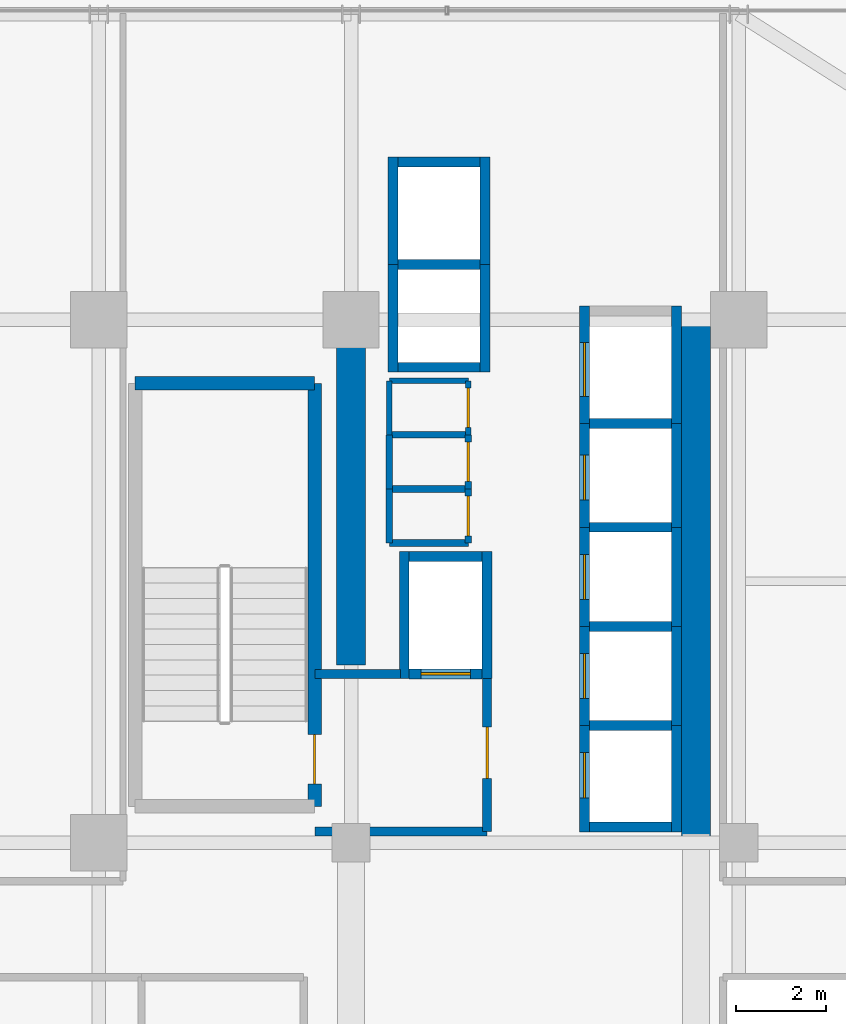
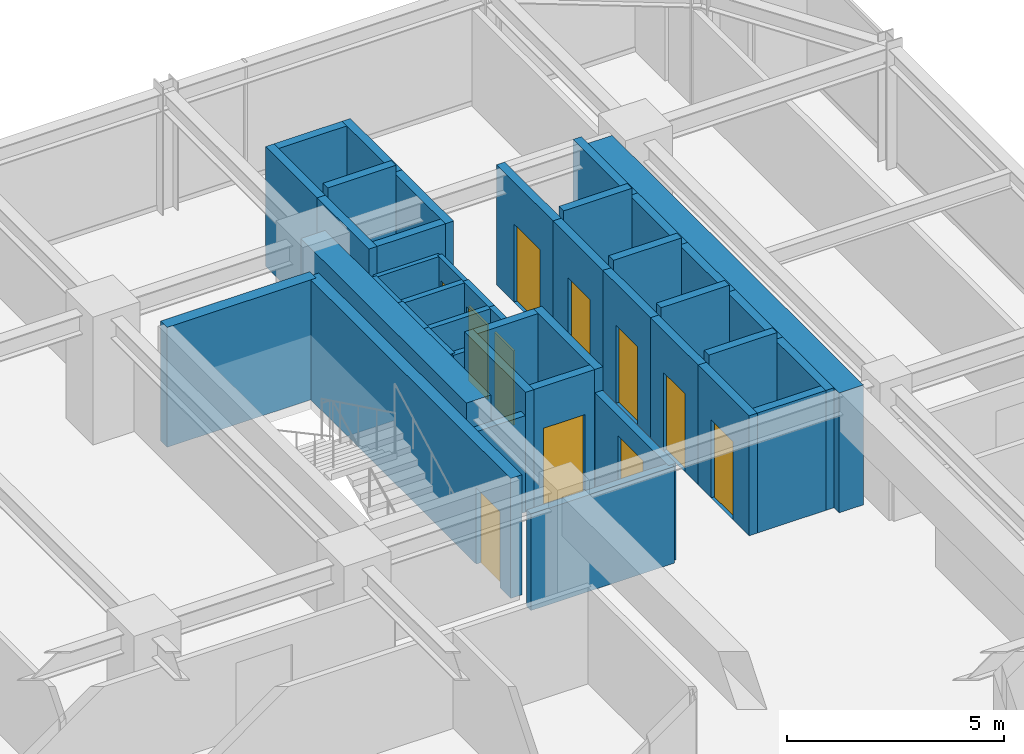
# One storey, part 28 of 32: 43 walls, 11 doors, 11 openings.
"""IFC4 building model written with IfcOpenShell, lengths in metres."""

from ifc_helpers import new_model, si_unit, direction, frame, frame_2d, origin, place, context, subcontext, project, spatial, rectangle, extrude, source, transform, mapped, material, layer, layer_set, type_object, element, fill, save


model = new_model("IFC4")

# Units and contexts
model_context = context("Model", 3, precision=1e-05, world=origin(), true_north=direction((0.0, 1.0)))
body_context = subcontext(model_context, "Body", "Model", "MODEL_VIEW")
ifc_project = project(units=[si_unit("LENGTHUNIT", "METRE"), si_unit("AREAUNIT", "SQUARE_METRE"), si_unit("VOLUMEUNIT", "CUBIC_METRE"), si_unit("PLANEANGLEUNIT", "RADIAN"), si_unit("MASSUNIT", "GRAM", prefix="KILO")], contexts=[model_context])

# Site, building, storey
site_placement = place(None, origin())
site = spatial("IfcSite", under=ifc_project, at=site_placement, CompositionType="ELEMENT")
building_placement = place(site_placement, origin())
building = spatial("IfcBuilding", under=site, at=building_placement, Name="Nahalor Promenade Grand Hotel", CompositionType="ELEMENT")
storey_placement = place(building_placement, frame((0.0, 0.0, 110.199951171875)))
storey = spatial("IfcBuildingStorey", under=building, at=storey_placement, Name="L27", CompositionType="ELEMENT", Elevation=110.199951171875)

# Walls
ifc_material_1 = material(Name="Concrete B-60 (C50/60)", Category="concrete")
ifc_layer_1 = layer(ifc_material_1, 0.64990234375)
ifc_layer_set_1 = layer_set([ifc_layer_1], Name="Concrete B-60 (C50/60)")
wall_type_1 = type_object("IfcWallType", Name="Wall-CoreShear-650", PredefinedType="SHEAR", material=ifc_layer_set_1)
shared_shape_1 = source(origin(), body_context, "Body", "SweptSolid", [
    extrude(rectangle(XDim=7.64990234375, YDim=0.64990234375, at=frame_2d((3.824951171875, 0.0))), origin(), (0.0, 0.0, 1.0), 3.380126953125),
])
wall_1_placement = place(storey_placement, frame((8.39990234375, 9.35009765625, 0.0), z_axis=(0.0, 0.0, 1.0), x_axis=(0.0, 1.0, 0.0)))
element("IfcWall", 1, at=wall_1_placement, inside=storey, type_object=wall_type_1, Name="CWALL-L27-NW", PredefinedType="SHEAR", context=body_context, shape_type="MappedRepresentation", body=[
    mapped(shared_shape_1, transform((0.0, 0.0, 0.0), scale=1.0)),
])
shared_shape_2 = source(origin(), body_context, "Body", "SweptSolid", [
    extrude(rectangle(XDim=11.60009765625, YDim=0.64990234375, at=frame_2d((5.800048828125, 0.0))), origin(), (0.0, 0.0, 1.0), 3.380126953125),
])
wall_2_placement = place(storey_placement, frame((16.050048828125, 5.39990234375, 0.0), z_axis=(0.0, 0.0, 1.0), x_axis=(0.0, 1.0, 0.0)))
element("IfcWall", 2, at=wall_2_placement, inside=storey, type_object=wall_type_1, Name="CWALL-L27-NE", PredefinedType="SHEAR", context=body_context, shape_type="MappedRepresentation", body=[
    mapped(shared_shape_2, transform((0.0, 0.0, 0.0), scale=1.0)),
])
ifc_material_2 = material(Name="Concrete B-50 (C40/50)", Category="concrete")
ifc_layer_2 = layer(ifc_material_2, 0.300048828125)
ifc_layer_set_2 = layer_set([ifc_layer_2], Name="Concrete B-50 (C40/50)")
wall_type_2 = type_object("IfcWallType", Name="Wall-ShaftShear-300", PredefinedType="SHEAR", material=ifc_layer_set_2)
shared_shape_3 = source(origin(), body_context, "Body", "SweptSolid", [
    extrude(rectangle(XDim=3.97998046875, YDim=0.300048828125, at=frame_2d((1.989990234375, 0.0))), origin(), (0.0, 0.0, 1.0), 3.380126953125),
])
wall_3_placement = place(storey_placement, frame((3.610107421875, 15.590087890625, 0.0), z_axis=(0.0, 0.0, 1.0), x_axis=(1.0, 0.0, 0.0)))
element("IfcWall", 3, at=wall_3_placement, inside=storey, type_object=wall_type_2, Name="L27 Exit Stair ST1 Shaft Wall N", PredefinedType="SHEAR", context=body_context, shape_type="MappedRepresentation", body=[
    mapped(shared_shape_3, transform((0.0, 0.0, 0.0), scale=1.0)),
])

# Wall, opening, door
shared_shape_4 = source(origin(), body_context, "Body", "SweptSolid", [
    extrude(rectangle(XDim=9.380126953125, YDim=0.300048828125, at=frame_2d((4.68994140625, 0.0))), origin(), (0.0, 0.0, 1.0), 3.380126953125),
])
wall_4_placement = place(storey_placement, frame((7.590087890625, 6.2099609375, 0.0), z_axis=(0.0, 0.0, 1.0), x_axis=(0.0, 1.0, 0.0)))
wall_4 = element("IfcWall", 4, at=wall_4_placement, inside=storey, type_object=wall_type_2, Name="L27 Exit Stair ST1 Shaft Wall E", PredefinedType="SHEAR", context=body_context, shape_type="MappedRepresentation", body=[
    mapped(shared_shape_4, transform((0.0, 0.0, 0.0), scale=1.0)),
])
opening_1_placement = place(wall_4_placement, frame((0.489990234375, 0.0, 0.0)))
opening_1 = element("IfcOpeningElement", 5, at=opening_1_placement, cuts=wall_4, Name="Opening D-ST1", PredefinedType="OPENING", context=body_context, shape_type="SweptSolid", body=[
    extrude(rectangle(XDim=1.10009765625, YDim=2.14990234375, at=frame_2d((0.550048828125, 1.074951171875))), frame((0.0, 0.159912109375, 0.0), z_axis=(0.0, -1.0, 0.0), x_axis=(1.0, 0.0, 0.0)), (0.0, 0.0, 1.0), 0.320068359375),
])
ifc_material_3 = material(Name="Steel S355JR", Category="steel")
door_type_1 = type_object("IfcDoorType", Name="Door-StairFire-1100", OperationType="NOTDEFINED", PredefinedType="DOOR", material=ifc_material_3)
shared_shape_5 = source(origin(), body_context, "Body", "SweptSolid", [
    extrude(rectangle(XDim=1.10009765625, YDim=2.14990234375, at=frame_2d((0.550048828125, 1.074951171875))), frame((0.0, 0.02490234375, 0.0), z_axis=(0.0, -1.0, 0.0), x_axis=(1.0, 0.0, 0.0)), (0.0, 0.0, 1.0), 0.050048828125),
])
door_1_placement = place(opening_1_placement, origin())
door_1 = element("IfcDoor", 6, at=door_1_placement, inside=storey, type_object=door_type_1, Name="DR-STAIR-ST1-L27", OperationType="SINGLE_SWING_RIGHT", OverallHeight=2.14990234375, OverallWidth=1.10009765625, PredefinedType="DOOR", context=body_context, shape_type="MappedRepresentation", body=[
    mapped(shared_shape_5, transform((0.0, 0.0, 0.0), scale=1.0)),
])
fill(opening_1, door_1)

# Walls
ifc_layer_3 = layer(ifc_material_2, 0.219970703125)
ifc_layer_set_3 = layer_set([ifc_layer_3], Name="Concrete B-50 (C40/50)")
wall_type_3 = type_object("IfcWallType", Name="Wall-LiftShaft-220", PredefinedType="SHEAR", material=ifc_layer_set_3)
shared_shape_6 = source(origin(), body_context, "Body", "SweptSolid", [
    extrude(rectangle(XDim=1.820068359375, YDim=0.219970703125, at=frame_2d((0.91015625, 0.0))), origin(), (0.0, 0.0, 1.0), 3.650146484375),
])
for number, where, z_axis, x_axis, name in (
    (7, (13.68994140625, 8.0, 0.0), (0.0, 0.0, 1.0), (1.0, 0.0, 0.0), "L27 Lift PL1 Hoistway Wall N"),
    (8, (13.68994140625, 10.199951171875, 0.0), (0.0, 0.0, 1.0), (1.0, 0.0, 0.0), "L27 Lift PL2 Hoistway Wall N"),
    (9, (13.68994140625, 12.39990234375, 0.0), (0.0, 0.0, 1.0), (1.0, 0.0, 0.0), "L27 Lift PL3 Hoistway Wall N"),
    (10, (13.68994140625, 14.699951171875, 0.0), (0.0, 0.0, 1.0), (1.0, 0.0, 0.0), "L27 Lift PL4 Hoistway Wall N"),
    (11, (9.43994140625, 18.22509765625, 0.0), (0.0, 0.0, 1.0), (1.0, 0.0, 0.0), "L27 Lift OB1 Hoistway Wall N"),
):
    element("IfcWall", number, at=place(storey_placement, frame(where, z_axis=z_axis, x_axis=x_axis)), inside=storey, type_object=wall_type_3, Name=name, PredefinedType="SHEAR", context=body_context, shape_type="MappedRepresentation", body=[
        mapped(shared_shape_6, transform((0.0, 0.0, 0.0), scale=1.0)),
    ])

# Wall, opening, door
shared_shape_7 = source(origin(), body_context, "Body", "SweptSolid", [
    extrude(rectangle(XDim=2.360107421875, YDim=0.219970703125, at=frame_2d((1.18017578125, 0.0))), origin(), (0.0, 0.0, 1.0), 3.380126953125),
])
wall_5_placement = place(storey_placement, frame((13.580078125, 5.639892578125, 0.0), z_axis=(0.0, 0.0, 1.0), x_axis=(0.0, 1.0, 0.0)))
wall_5 = element("IfcWall", 12, at=wall_5_placement, inside=storey, type_object=wall_type_3, Name="L27 Lift PL1 Hoistway Wall W", PredefinedType="SHEAR", context=body_context, shape_type="MappedRepresentation", body=[
    mapped(shared_shape_7, transform((0.0, 0.0, 0.0), scale=1.0)),
])
opening_2_placement = place(wall_5_placement, frame((0.760009765625, 0.0, 0.0)))
opening_2 = element("IfcOpeningElement", 13, at=opening_2_placement, cuts=wall_5, Name="Opening LD-01", PredefinedType="OPENING", context=body_context, shape_type="SweptSolid", body=[
    extrude(rectangle(XDim=1.0, YDim=2.199951171875, at=frame_2d((0.5, 1.10009765625))), frame((0.0, 0.119873046875, 0.0), z_axis=(0.0, -1.0, 0.0), x_axis=(1.0, 0.0, 0.0)), (0.0, 0.0, 1.0), 0.239990234375),
])
door_type_2 = type_object("IfcDoorType", Name="Door-LiftLanding-1000", OperationType="DOUBLE_DOOR_SLIDING", PredefinedType="DOOR", material=ifc_material_3)
shared_shape_8 = source(origin(), body_context, "Body", "SweptSolid", [
    extrude(rectangle(XDim=1.0, YDim=2.199951171875, at=frame_2d((0.5, 1.10009765625))), frame((0.0, 0.02490234375, 0.0), z_axis=(0.0, -1.0, 0.0), x_axis=(1.0, 0.0, 0.0)), (0.0, 0.0, 1.0), 0.050048828125),
])
door_2_placement = place(opening_2_placement, origin())
door_2 = element("IfcDoor", 14, at=door_2_placement, inside=storey, type_object=door_type_2, Name="DR-LIFT-PL1-L27", OperationType="DOUBLE_DOOR_SLIDING", OverallHeight=2.199951171875, OverallWidth=1.0, PredefinedType="DOOR", context=body_context, shape_type="MappedRepresentation", body=[
    mapped(shared_shape_8, transform((0.0, 0.0, 0.0), scale=1.0)),
])
fill(opening_2, door_2)

# Walls
wall_6_placement = place(storey_placement, frame((15.6201171875, 5.639892578125, 0.0), z_axis=(0.0, 0.0, 1.0), x_axis=(0.0, 1.0, 0.0)))
element("IfcWall", 15, at=wall_6_placement, inside=storey, type_object=wall_type_3, Name="L27 Lift PL1 Hoistway Wall E", PredefinedType="SHEAR", context=body_context, shape_type="MappedRepresentation", body=[
    mapped(shared_shape_7, transform((0.0, 0.0, 0.0), scale=1.0)),
])
shared_shape_9 = source(origin(), body_context, "Body", "SweptSolid", [
    extrude(rectangle(XDim=1.820068359375, YDim=0.219970703125, at=frame_2d((0.91015625, 0.0))), origin(), (0.0, 0.0, 1.0), 3.380126953125),
])
for number, where, z_axis, x_axis, name in (
    (16, (13.68994140625, 5.75, 0.0), (0.0, 0.0, 1.0), (1.0, 0.0, 0.0), "L27 Lift PL1 Hoistway Wall S"),
    (17, (9.43994140625, 15.949951171875, 0.0), (0.0, 0.0, 1.0), (1.0, 0.0, 0.0), "L27 Lift OB1 Hoistway Wall S"),
    (18, (9.43994140625, 20.5, 0.0), (0.0, 0.0, 1.0), (1.0, 0.0, 0.0), "L27 Lift OB2 Hoistway Wall N"),
):
    element("IfcWall", number, at=place(storey_placement, frame(where, z_axis=z_axis, x_axis=x_axis)), inside=storey, type_object=wall_type_3, Name=name, PredefinedType="SHEAR", context=body_context, shape_type="MappedRepresentation", body=[
        mapped(shared_shape_9, transform((0.0, 0.0, 0.0), scale=1.0)),
    ])

# Wall, opening, door
shared_shape_10 = source(origin(), body_context, "Body", "SweptSolid", [
    extrude(rectangle(XDim=2.199951171875, YDim=0.219970703125, at=frame_2d((1.10009765625, 0.0))), origin(), (0.0, 0.0, 1.0), 3.380126953125),
])
wall_7_placement = place(storey_placement, frame((13.580078125, 8.0, 0.0), z_axis=(0.0, 0.0, 1.0), x_axis=(0.0, 1.0, 0.0)))
wall_7 = element("IfcWall", 19, at=wall_7_placement, inside=storey, type_object=wall_type_3, Name="L27 Lift PL2 Hoistway Wall W", PredefinedType="SHEAR", context=body_context, shape_type="MappedRepresentation", body=[
    mapped(shared_shape_10, transform((0.0, 0.0, 0.0), scale=1.0)),
])
opening_3_placement = place(wall_7_placement, frame((0.60009765625, 0.0, 0.0)))
opening_3 = element("IfcOpeningElement", 20, at=opening_3_placement, cuts=wall_7, Name="Opening LD-01", PredefinedType="OPENING", context=body_context, shape_type="SweptSolid", body=[
    extrude(rectangle(XDim=1.0, YDim=2.199951171875, at=frame_2d((0.5, 1.10009765625))), frame((0.0, 0.119873046875, 0.0), z_axis=(0.0, -1.0, 0.0), x_axis=(1.0, 0.0, 0.0)), (0.0, 0.0, 1.0), 0.239990234375),
])
door_3_placement = place(opening_3_placement, origin())
door_3 = element("IfcDoor", 21, at=door_3_placement, inside=storey, type_object=door_type_2, Name="DR-LIFT-PL2-L27", OperationType="DOUBLE_DOOR_SLIDING", OverallHeight=2.199951171875, OverallWidth=1.0, PredefinedType="DOOR", context=body_context, shape_type="MappedRepresentation", body=[
    mapped(shared_shape_8, transform((0.0, 0.0, 0.0), scale=1.0)),
])
fill(opening_3, door_3)

# Wall
wall_8_placement = place(storey_placement, frame((15.6201171875, 8.0, 0.0), z_axis=(0.0, 0.0, 1.0), x_axis=(0.0, 1.0, 0.0)))
element("IfcWall", 22, at=wall_8_placement, inside=storey, type_object=wall_type_3, Name="L27 Lift PL2 Hoistway Wall E", PredefinedType="SHEAR", context=body_context, shape_type="MappedRepresentation", body=[
    mapped(shared_shape_10, transform((0.0, 0.0, 0.0), scale=1.0)),
])

# Wall, opening, door
wall_9_placement = place(storey_placement, frame((13.580078125, 10.199951171875, 0.0), z_axis=(0.0, 0.0, 1.0), x_axis=(0.0, 1.0, 0.0)))
wall_9 = element("IfcWall", 23, at=wall_9_placement, inside=storey, type_object=wall_type_3, Name="L27 Lift PL3 Hoistway Wall W", PredefinedType="SHEAR", context=body_context, shape_type="MappedRepresentation", body=[
    mapped(shared_shape_10, transform((0.0, 0.0, 0.0), scale=1.0)),
])
opening_4_placement = place(wall_9_placement, frame((0.60009765625, 0.0, 0.0)))
opening_4 = element("IfcOpeningElement", 24, at=opening_4_placement, cuts=wall_9, Name="Opening LD-01", PredefinedType="OPENING", context=body_context, shape_type="SweptSolid", body=[
    extrude(rectangle(XDim=1.0, YDim=2.199951171875, at=frame_2d((0.5, 1.10009765625))), frame((0.0, 0.119873046875, 0.0), z_axis=(0.0, -1.0, 0.0), x_axis=(1.0, 0.0, 0.0)), (0.0, 0.0, 1.0), 0.239990234375),
])
door_4_placement = place(opening_4_placement, origin())
door_4 = element("IfcDoor", 25, at=door_4_placement, inside=storey, type_object=door_type_2, Name="DR-LIFT-PL3-L27", OperationType="DOUBLE_DOOR_SLIDING", OverallHeight=2.199951171875, OverallWidth=1.0, PredefinedType="DOOR", context=body_context, shape_type="MappedRepresentation", body=[
    mapped(shared_shape_8, transform((0.0, 0.0, 0.0), scale=1.0)),
])
fill(opening_4, door_4)

# Wall
wall_10_placement = place(storey_placement, frame((15.6201171875, 10.199951171875, 0.0), z_axis=(0.0, 0.0, 1.0), x_axis=(0.0, 1.0, 0.0)))
element("IfcWall", 26, at=wall_10_placement, inside=storey, type_object=wall_type_3, Name="L27 Lift PL3 Hoistway Wall E", PredefinedType="SHEAR", context=body_context, shape_type="MappedRepresentation", body=[
    mapped(shared_shape_10, transform((0.0, 0.0, 0.0), scale=1.0)),
])

# Wall, opening, door
shared_shape_11 = source(origin(), body_context, "Body", "SweptSolid", [
    extrude(rectangle(XDim=2.300048828125, YDim=0.219970703125, at=frame_2d((1.14990234375, 0.0))), origin(), (0.0, 0.0, 1.0), 3.380126953125),
])
wall_11_placement = place(storey_placement, frame((13.580078125, 12.39990234375, 0.0), z_axis=(0.0, 0.0, 1.0), x_axis=(0.0, 1.0, 0.0)))
wall_11 = element("IfcWall", 27, at=wall_11_placement, inside=storey, type_object=wall_type_3, Name="L27 Lift PL4 Hoistway Wall W", PredefinedType="SHEAR", context=body_context, shape_type="MappedRepresentation", body=[
    mapped(shared_shape_11, transform((0.0, 0.0, 0.0), scale=1.0)),
])
opening_5_placement = place(wall_11_placement, frame((0.60009765625, 0.0, 0.0)))
opening_5 = element("IfcOpeningElement", 28, at=opening_5_placement, cuts=wall_11, Name="Opening LD-01", PredefinedType="OPENING", context=body_context, shape_type="SweptSolid", body=[
    extrude(rectangle(XDim=1.0, YDim=2.199951171875, at=frame_2d((0.5, 1.10009765625))), frame((0.0, 0.119873046875, 0.0), z_axis=(0.0, -1.0, 0.0), x_axis=(1.0, 0.0, 0.0)), (0.0, 0.0, 1.0), 0.239990234375),
])
door_5_placement = place(opening_5_placement, origin())
door_5 = element("IfcDoor", 29, at=door_5_placement, inside=storey, type_object=door_type_2, Name="DR-LIFT-PL4-L27", OperationType="DOUBLE_DOOR_SLIDING", OverallHeight=2.199951171875, OverallWidth=1.0, PredefinedType="DOOR", context=body_context, shape_type="MappedRepresentation", body=[
    mapped(shared_shape_8, transform((0.0, 0.0, 0.0), scale=1.0)),
])
fill(opening_5, door_5)

# Walls
wall_12_placement = place(storey_placement, frame((15.6201171875, 12.39990234375, 0.0), z_axis=(0.0, 0.0, 1.0), x_axis=(0.0, 1.0, 0.0)))
element("IfcWall", 30, at=wall_12_placement, inside=storey, type_object=wall_type_3, Name="L27 Lift PL4 Hoistway Wall E", PredefinedType="SHEAR", context=body_context, shape_type="MappedRepresentation", body=[
    mapped(shared_shape_11, transform((0.0, 0.0, 0.0), scale=1.0)),
])
shared_shape_12 = source(origin(), body_context, "Body", "SweptSolid", [
    extrude(rectangle(XDim=2.385009765625, YDim=0.219970703125, at=frame_2d((1.1923828125, 0.0))), origin(), (0.0, 0.0, 1.0), 3.380126953125),
])
for number, where, z_axis, x_axis, name in (
    (31, (9.330078125, 15.840087890625, 0.0), (0.0, 0.0, 1.0), (0.0, 1.0, 0.0), "L27 Lift OB1 Hoistway Wall W"),
    (32, (11.3701171875, 15.840087890625, 0.0), (0.0, 0.0, 1.0), (0.0, 1.0, 0.0), "L27 Lift OB1 Hoistway Wall E"),
    (33, (9.330078125, 18.22509765625, 0.0), (0.0, 0.0, 1.0), (0.0, 1.0, 0.0), "L27 Lift OB2 Hoistway Wall W"),
    (34, (11.3701171875, 18.22509765625, 0.0), (0.0, 0.0, 1.0), (0.0, 1.0, 0.0), "L27 Lift OB2 Hoistway Wall E"),
):
    element("IfcWall", number, at=place(storey_placement, frame(where, z_axis=z_axis, x_axis=x_axis)), inside=storey, type_object=wall_type_3, Name=name, PredefinedType="SHEAR", context=body_context, shape_type="MappedRepresentation", body=[
        mapped(shared_shape_12, transform((0.0, 0.0, 0.0), scale=1.0)),
    ])
shared_shape_13 = source(origin(), body_context, "Body", "SweptSolid", [
    extrude(rectangle(XDim=2.820068359375, YDim=0.219970703125, at=frame_2d((1.41015625, 0.0))), origin(), (0.0, 0.0, 1.0), 3.380126953125),
])
for number, where, z_axis, x_axis, name in (
    (35, (9.580078125, 9.0400390625, 0.0), (0.0, 0.0, 1.0), (0.0, 1.0, 0.0), "L27 Lift FL1 Hoistway Wall W"),
    (36, (11.419921875, 9.0400390625, 0.0), (0.0, 0.0, 1.0), (0.0, 1.0, 0.0), "L27 Lift FL1 Hoistway Wall E"),
):
    element("IfcWall", number, at=place(storey_placement, frame(where, z_axis=z_axis, x_axis=x_axis)), inside=storey, type_object=wall_type_3, Name=name, PredefinedType="SHEAR", context=body_context, shape_type="MappedRepresentation", body=[
        mapped(shared_shape_13, transform((0.0, 0.0, 0.0), scale=1.0)),
    ])

# Wall, opening, door
shared_shape_14 = source(origin(), body_context, "Body", "SweptSolid", [
    extrude(rectangle(XDim=1.6201171875, YDim=0.219970703125, at=frame_2d((0.81005859375, 0.0))), origin(), (0.0, 0.0, 1.0), 3.380126953125),
])
wall_13_placement = place(storey_placement, frame((9.68994140625, 9.14990234375, 0.0), z_axis=(0.0, 0.0, 1.0), x_axis=(1.0, 0.0, 0.0)))
wall_13 = element("IfcWall", 37, at=wall_13_placement, inside=storey, type_object=wall_type_3, Name="L27 Lift FL1 Hoistway Wall S", PredefinedType="SHEAR", context=body_context, shape_type="MappedRepresentation", body=[
    mapped(shared_shape_14, transform((0.0, 0.0, 0.0), scale=1.0)),
])
opening_6_placement = place(wall_13_placement, frame((0.260009765625, 0.0, 0.0)))
opening_6 = element("IfcOpeningElement", 38, at=opening_6_placement, cuts=wall_13, Name="Opening LD-02", PredefinedType="OPENING", context=body_context, shape_type="SweptSolid", body=[
    extrude(rectangle(XDim=1.10009765625, YDim=2.199951171875, at=frame_2d((0.550048828125, 1.10009765625))), frame((0.0, 0.119873046875, 0.0), z_axis=(0.0, -1.0, 0.0), x_axis=(1.0, 0.0, 0.0)), (0.0, 0.0, 1.0), 0.239990234375),
])
door_type_3 = type_object("IfcDoorType", Name="Door-LiftFF-1100", OperationType="DOUBLE_DOOR_SLIDING", PredefinedType="DOOR", material=ifc_material_3)
shared_shape_15 = source(origin(), body_context, "Body", "SweptSolid", [
    extrude(rectangle(XDim=1.10009765625, YDim=2.199951171875, at=frame_2d((0.550048828125, 1.10009765625))), frame((0.0, 0.02490234375, 0.0), z_axis=(0.0, -1.0, 0.0), x_axis=(1.0, 0.0, 0.0)), (0.0, 0.0, 1.0), 0.050048828125),
])
door_6_placement = place(opening_6_placement, frame((1.10009765625, 0.0, 0.0), z_axis=(0.0, 0.0, 1.0), x_axis=(-1.0, 0.0, 0.0)))
door_6 = element("IfcDoor", 39, at=door_6_placement, inside=storey, type_object=door_type_3, Name="DR-LIFT-FL1-L27", OperationType="DOUBLE_DOOR_SLIDING", OverallHeight=2.199951171875, OverallWidth=1.10009765625, PredefinedType="DOOR", context=body_context, shape_type="MappedRepresentation", body=[
    mapped(shared_shape_15, transform((0.0, 0.0, 0.0), scale=1.0)),
])
fill(opening_6, door_6)

# Wall
wall_14_placement = place(storey_placement, frame((9.68994140625, 11.75, 0.0), z_axis=(0.0, 0.0, 1.0), x_axis=(1.0, 0.0, 0.0)))
element("IfcWall", 40, at=wall_14_placement, inside=storey, type_object=wall_type_3, Name="L27 Lift FL1 Hoistway Wall N", PredefinedType="SHEAR", context=body_context, shape_type="MappedRepresentation", body=[
    mapped(shared_shape_14, transform((0.0, 0.0, 0.0), scale=1.0)),
])

# Wall, opening, door
shared_shape_16 = source(origin(), body_context, "Body", "SweptSolid", [
    extrude(rectangle(XDim=2.610107421875, YDim=0.219970703125, at=frame_2d((1.30517578125, 0.0))), origin(), (0.0, 0.0, 1.0), 3.380126953125),
])
wall_15_placement = place(storey_placement, frame((13.580078125, 14.699951171875, 0.0), z_axis=(0.0, 0.0, 1.0), x_axis=(0.0, 1.0, 0.0)))
wall_15 = element("IfcWall", 41, at=wall_15_placement, inside=storey, type_object=wall_type_3, Name="L27 Lift SV1 Hoistway Wall W", PredefinedType="SHEAR", context=body_context, shape_type="MappedRepresentation", body=[
    mapped(shared_shape_16, transform((0.0, 0.0, 0.0), scale=1.0)),
])
opening_7_placement = place(wall_15_placement, frame((0.60009765625, 0.0, 0.0)))
opening_7 = element("IfcOpeningElement", 42, at=opening_7_placement, cuts=wall_15, Name="Opening LD-03", PredefinedType="OPENING", context=body_context, shape_type="SweptSolid", body=[
    extrude(rectangle(XDim=1.199951171875, YDim=2.199951171875, at=frame_2d((0.60009765625, 1.10009765625))), frame((0.0, 0.119873046875, 0.0), z_axis=(0.0, -1.0, 0.0), x_axis=(1.0, 0.0, 0.0)), (0.0, 0.0, 1.0), 0.239990234375),
])
door_type_4 = type_object("IfcDoorType", Name="Door-LiftService-1200", OperationType="DOUBLE_DOOR_SLIDING", PredefinedType="DOOR", material=ifc_material_3)
shared_shape_17 = source(origin(), body_context, "Body", "SweptSolid", [
    extrude(rectangle(XDim=1.199951171875, YDim=2.199951171875, at=frame_2d((0.60009765625, 1.10009765625))), frame((0.0, 0.02490234375, 0.0), z_axis=(0.0, -1.0, 0.0), x_axis=(1.0, 0.0, 0.0)), (0.0, 0.0, 1.0), 0.050048828125),
])
door_7_placement = place(opening_7_placement, origin())
door_7 = element("IfcDoor", 43, at=door_7_placement, inside=storey, type_object=door_type_4, Name="DR-LIFT-SV1-L27", OperationType="DOUBLE_DOOR_SLIDING", OverallHeight=2.199951171875, OverallWidth=1.199951171875, PredefinedType="DOOR", context=body_context, shape_type="MappedRepresentation", body=[
    mapped(shared_shape_17, transform((0.0, 0.0, 0.0), scale=1.0)),
])
fill(opening_7, door_7)

# Walls
wall_16_placement = place(storey_placement, frame((15.6201171875, 14.699951171875, 0.0), z_axis=(0.0, 0.0, 1.0), x_axis=(0.0, 1.0, 0.0)))
element("IfcWall", 44, at=wall_16_placement, inside=storey, type_object=wall_type_3, Name="L27 Lift SV1 Hoistway Wall E", PredefinedType="SHEAR", context=body_context, shape_type="MappedRepresentation", body=[
    mapped(shared_shape_16, transform((0.0, 0.0, 0.0), scale=1.0)),
])
ifc_material_4 = material(Name="Concrete B-40 (C32/40)", Category="concrete")
ifc_layer_4 = layer(ifc_material_4, 0.199951171875)
ifc_layer_set_4 = layer_set([ifc_layer_4], Name="Concrete B-40 (C32/40)")
wall_type_4 = type_object("IfcWallType", Name="Wall-PartFire-200", PredefinedType="PARTITIONING", material=ifc_layer_set_4)
shared_shape_18 = source(origin(), body_context, "Body", "SweptSolid", [
    extrude(rectangle(XDim=3.81982421875, YDim=0.199951171875, at=frame_2d((1.909912109375, 0.0))), origin(), (0.0, 0.0, 1.0), 2.719970703125),
])
wall_17_placement = place(storey_placement, frame((7.60009765625, 5.64990234375, 0.0), z_axis=(0.0, 0.0, 1.0), x_axis=(1.0, 0.0, 0.0)))
element("IfcWall", 45, at=wall_17_placement, inside=storey, type_object=wall_type_4, Name="W-L27-FF1-S", PredefinedType="PARTITIONING", context=body_context, shape_type="MappedRepresentation", body=[
    mapped(shared_shape_18, transform((0.0, 0.0, 0.0), scale=1.0)),
])
shared_shape_19 = source(origin(), body_context, "Body", "SweptSolid", [
    extrude(rectangle(XDim=1.89990234375, YDim=0.199951171875, at=frame_2d((0.949951171875, 0.0))), origin(), (0.0, 0.0, 1.0), 2.719970703125),
])
wall_18_placement = place(storey_placement, frame((7.60009765625, 9.14990234375, 0.0), z_axis=(0.0, 0.0, 1.0), x_axis=(1.0, 0.0, 0.0)))
element("IfcWall", 46, at=wall_18_placement, inside=storey, type_object=wall_type_4, Name="W-L27-FF1-N", PredefinedType="PARTITIONING", context=body_context, shape_type="MappedRepresentation", body=[
    mapped(shared_shape_19, transform((0.0, 0.0, 0.0), scale=1.0)),
])

# Wall, opening, door
shared_shape_20 = source(origin(), body_context, "Body", "SweptSolid", [
    extrude(rectangle(XDim=3.5, YDim=0.199951171875, at=frame_2d((1.75, 0.0))), origin(), (0.0, 0.0, 1.0), 2.719970703125),
])
wall_19_placement = place(storey_placement, frame((11.419921875, 5.64990234375, 0.0), z_axis=(0.0, 0.0, 1.0), x_axis=(0.0, 1.0, 0.0)))
wall_19 = element("IfcWall", 47, at=wall_19_placement, inside=storey, type_object=wall_type_4, Name="W-L27-FF1-E", PredefinedType="PARTITIONING", context=body_context, shape_type="MappedRepresentation", body=[
    mapped(shared_shape_20, transform((0.0, 0.0, 0.0), scale=1.0)),
])
opening_8_placement = place(wall_19_placement, frame((1.175048828125, 0.0, 0.0)))
opening_8 = element("IfcOpeningElement", 48, at=opening_8_placement, cuts=wall_19, Name="Opening D-FF1", PredefinedType="OPENING", context=body_context, shape_type="SweptSolid", body=[
    extrude(rectangle(XDim=1.14990234375, YDim=2.14990234375, at=frame_2d((0.574951171875, 1.074951171875))), frame((0.0, 0.10986328125, 0.0), z_axis=(0.0, -1.0, 0.0), x_axis=(1.0, 0.0, 0.0)), (0.0, 0.0, 1.0), 0.219970703125),
])
door_type_5 = type_object("IfcDoorType", Name="Door-FFLobby-1150", OperationType="NOTDEFINED", PredefinedType="DOOR", material=ifc_material_3)
shared_shape_21 = source(origin(), body_context, "Body", "SweptSolid", [
    extrude(rectangle(XDim=1.14990234375, YDim=2.14990234375, at=frame_2d((0.574951171875, 1.074951171875))), frame((0.0, 0.02490234375, 0.0), z_axis=(0.0, -1.0, 0.0), x_axis=(1.0, 0.0, 0.0)), (0.0, 0.0, 1.0), 0.050048828125),
])
door_8_placement = place(opening_8_placement, frame((1.14990234375, 0.0, 0.0), z_axis=(0.0, 0.0, 1.0), x_axis=(-1.0, 0.0, 0.0)))
door_8 = element("IfcDoor", 49, at=door_8_placement, inside=storey, type_object=door_type_5, Name="DR-L27-FFL1", OperationType="SINGLE_SWING_LEFT", OverallHeight=2.14990234375, OverallWidth=1.14990234375, PredefinedType="DOOR", context=body_context, shape_type="MappedRepresentation", body=[
    mapped(shared_shape_21, transform((0.0, 0.0, 0.0), scale=1.0)),
])
fill(opening_8, door_8)

# Walls
ifc_material_5 = material(Name="Acoustic Mineral Gypsum", Category="gypsum")
ifc_layer_5 = layer(ifc_material_5, 0.14990234375)
ifc_layer_set_5 = layer_set([ifc_layer_5], Name="Acoustic Mineral Gypsum")
wall_type_5 = type_object("IfcWallType", Name="Wall-PartService-150", PredefinedType="PARTITIONING", material=ifc_layer_set_5)
shared_shape_22 = source(origin(), body_context, "Body", "SweptSolid", [
    extrude(rectangle(XDim=1.75, YDim=0.14990234375, at=frame_2d((0.875, 0.0))), origin(), (0.0, 0.0, 1.0), 2.719970703125),
])
for number, where, z_axis, x_axis, name in (
    (50, (9.25, 12.050048828125, 0.0), (0.0, 0.0, 1.0), (1.0, 0.0, 0.0), "W-L27-CK3A-S"),
    (51, (9.25, 13.25, 0.0), (0.0, 0.0, 1.0), (1.0, 0.0, 0.0), "W-L27-CK3A-N"),
    (52, (9.25, 14.449951171875, 0.0), (0.0, 0.0, 1.0), (1.0, 0.0, 0.0), "W-L27-CK3B-N"),
):
    element("IfcWall", number, at=place(storey_placement, frame(where, z_axis=z_axis, x_axis=x_axis)), inside=storey, type_object=wall_type_5, Name=name, PredefinedType="PARTITIONING", context=body_context, shape_type="MappedRepresentation", body=[
        mapped(shared_shape_22, transform((0.0, 0.0, 0.0), scale=1.0)),
    ])
shared_shape_23 = source(origin(), body_context, "Body", "SweptSolid", [
    extrude(rectangle(XDim=1.199951171875, YDim=0.14990234375, at=frame_2d((0.60009765625, 0.0))), origin(), (0.0, 0.0, 1.0), 2.719970703125),
])
wall_20_placement = place(storey_placement, frame((9.25, 12.050048828125, 0.0), z_axis=(0.0, 0.0, 1.0), x_axis=(0.0, 1.0, 0.0)))
element("IfcWall", 53, at=wall_20_placement, inside=storey, type_object=wall_type_5, Name="W-L27-CK3A-W", PredefinedType="PARTITIONING", context=body_context, shape_type="MappedRepresentation", body=[
    mapped(shared_shape_23, transform((0.0, 0.0, 0.0), scale=1.0)),
])

# Wall, opening, door
wall_21_placement = place(storey_placement, frame((11.0, 12.050048828125, 0.0), z_axis=(0.0, 0.0, 1.0), x_axis=(0.0, 1.0, 0.0)))
wall_21 = element("IfcWall", 54, at=wall_21_placement, inside=storey, type_object=wall_type_5, Name="W-L27-CK3A-E", PredefinedType="PARTITIONING", context=body_context, shape_type="MappedRepresentation", body=[
    mapped(shared_shape_23, transform((0.0, 0.0, 0.0), scale=1.0)),
])
opening_9_placement = place(wall_21_placement, frame((0.159912109375, 0.0, 0.0)))
opening_9 = element("IfcOpeningElement", 55, at=opening_9_placement, cuts=wall_21, Name="Opening D-03", PredefinedType="OPENING", context=body_context, shape_type="SweptSolid", body=[
    extrude(rectangle(XDim=0.8798828125, YDim=2.10009765625, at=frame_2d((0.43994140625, 1.050048828125))), frame((0.0, 0.0849609375, 0.0), z_axis=(0.0, -1.0, 0.0), x_axis=(1.0, 0.0, 0.0)), (0.0, 0.0, 1.0), 0.169921875),
])
ifc_material_6 = material(Name="Fire-Rated Timber Composite", Category="wood")
door_type_6 = type_object("IfcDoorType", Name="Door-BathSwing-880", OperationType="NOTDEFINED", PredefinedType="DOOR", material=ifc_material_6)
shared_shape_24 = source(origin(), body_context, "Body", "SweptSolid", [
    extrude(rectangle(XDim=0.8798828125, YDim=2.10009765625, at=frame_2d((0.43994140625, 1.050048828125))), frame((0.0, 0.02490234375, 0.0), z_axis=(0.0, -1.0, 0.0), x_axis=(1.0, 0.0, 0.0)), (0.0, 0.0, 1.0), 0.050048828125),
])
door_9_placement = place(opening_9_placement, origin())
door_9 = element("IfcDoor", 56, at=door_9_placement, inside=storey, type_object=door_type_6, Name="DR-L27-CK3A", OperationType="SINGLE_SWING_LEFT", OverallHeight=2.10009765625, OverallWidth=0.8798828125, PredefinedType="DOOR", context=body_context, shape_type="MappedRepresentation", body=[
    mapped(shared_shape_24, transform((0.0, 0.0, 0.0), scale=1.0)),
])
fill(opening_9, door_9)

# Wall
wall_22_placement = place(storey_placement, frame((9.25, 13.25, 0.0), z_axis=(0.0, 0.0, 1.0), x_axis=(0.0, 1.0, 0.0)))
element("IfcWall", 57, at=wall_22_placement, inside=storey, type_object=wall_type_5, Name="W-L27-CK3B-W", PredefinedType="PARTITIONING", context=body_context, shape_type="MappedRepresentation", body=[
    mapped(shared_shape_23, transform((0.0, 0.0, 0.0), scale=1.0)),
])

# Wall, opening, door
wall_23_placement = place(storey_placement, frame((11.0, 13.25, 0.0), z_axis=(0.0, 0.0, 1.0), x_axis=(0.0, 1.0, 0.0)))
wall_23 = element("IfcWall", 58, at=wall_23_placement, inside=storey, type_object=wall_type_5, Name="W-L27-CK3B-E", PredefinedType="PARTITIONING", context=body_context, shape_type="MappedRepresentation", body=[
    mapped(shared_shape_23, transform((0.0, 0.0, 0.0), scale=1.0)),
])
opening_10_placement = place(wall_23_placement, frame((0.159912109375, 0.0, 0.0)))
opening_10 = element("IfcOpeningElement", 59, at=opening_10_placement, cuts=wall_23, Name="Opening D-03", PredefinedType="OPENING", context=body_context, shape_type="SweptSolid", body=[
    extrude(rectangle(XDim=0.8798828125, YDim=2.10009765625, at=frame_2d((0.43994140625, 1.050048828125))), frame((0.0, 0.0849609375, 0.0), z_axis=(0.0, -1.0, 0.0), x_axis=(1.0, 0.0, 0.0)), (0.0, 0.0, 1.0), 0.169921875),
])
door_10_placement = place(opening_10_placement, origin())
door_10 = element("IfcDoor", 60, at=door_10_placement, inside=storey, type_object=door_type_6, Name="DR-L27-CK3B", OperationType="SINGLE_SWING_RIGHT", OverallHeight=2.10009765625, OverallWidth=0.8798828125, PredefinedType="DOOR", context=body_context, shape_type="MappedRepresentation", body=[
    mapped(shared_shape_24, transform((0.0, 0.0, 0.0), scale=1.0)),
])
fill(opening_10, door_10)

# Walls
ifc_layer_6 = layer(ifc_material_5, 0.1201171875)
ifc_layer_set_6 = layer_set([ifc_layer_6], Name="Acoustic Mineral Gypsum")
wall_type_6 = type_object("IfcWallType", Name="Wall-PartBath-120", PredefinedType="PARTITIONING", material=ifc_layer_set_6)
shared_shape_25 = source(origin(), body_context, "Body", "SweptSolid", [
    extrude(rectangle(XDim=1.75, YDim=0.1201171875, at=frame_2d((0.875, 0.0))), origin(), (0.0, 0.0, 1.0), 2.719970703125),
])
wall_24_placement = place(storey_placement, frame((9.25, 15.64990234375, 0.0), z_axis=(0.0, 0.0, 1.0), x_axis=(1.0, 0.0, 0.0)))
element("IfcWall", 61, at=wall_24_placement, inside=storey, type_object=wall_type_6, Name="W-L27-CK3C-N", PredefinedType="PARTITIONING", context=body_context, shape_type="MappedRepresentation", body=[
    mapped(shared_shape_25, transform((0.0, 0.0, 0.0), scale=1.0)),
])
shared_shape_26 = source(origin(), body_context, "Body", "SweptSolid", [
    extrude(rectangle(XDim=1.199951171875, YDim=0.1201171875, at=frame_2d((0.60009765625, 0.0))), origin(), (0.0, 0.0, 1.0), 2.719970703125),
])
wall_25_placement = place(storey_placement, frame((9.25, 14.449951171875, 0.0), z_axis=(0.0, 0.0, 1.0), x_axis=(0.0, 1.0, 0.0)))
element("IfcWall", 62, at=wall_25_placement, inside=storey, type_object=wall_type_6, Name="W-L27-CK3C-W", PredefinedType="PARTITIONING", context=body_context, shape_type="MappedRepresentation", body=[
    mapped(shared_shape_26, transform((0.0, 0.0, 0.0), scale=1.0)),
])

# Wall, opening, door
wall_26_placement = place(storey_placement, frame((11.0, 14.449951171875, 0.0), z_axis=(0.0, 0.0, 1.0), x_axis=(0.0, 1.0, 0.0)))
wall_26 = element("IfcWall", 63, at=wall_26_placement, inside=storey, type_object=wall_type_6, Name="W-L27-CK3C-E", PredefinedType="PARTITIONING", context=body_context, shape_type="MappedRepresentation", body=[
    mapped(shared_shape_26, transform((0.0, 0.0, 0.0), scale=1.0)),
])
opening_11_placement = place(wall_26_placement, frame((0.159912109375, 0.0, 0.0)))
opening_11 = element("IfcOpeningElement", 64, at=opening_11_placement, cuts=wall_26, Name="Opening D-03", PredefinedType="OPENING", context=body_context, shape_type="SweptSolid", body=[
    extrude(rectangle(XDim=0.8798828125, YDim=2.10009765625, at=frame_2d((0.43994140625, 1.050048828125))), frame((0.0, 0.070068359375, 0.0), z_axis=(0.0, -1.0, 0.0), x_axis=(1.0, 0.0, 0.0)), (0.0, 0.0, 1.0), 0.14013671875),
])
door_11_placement = place(opening_11_placement, origin())
door_11 = element("IfcDoor", 65, at=door_11_placement, inside=storey, type_object=door_type_6, Name="DR-L27-CK3C", OperationType="SINGLE_SWING_LEFT", OverallHeight=2.10009765625, OverallWidth=0.8798828125, PredefinedType="DOOR", context=body_context, shape_type="MappedRepresentation", body=[
    mapped(shared_shape_24, transform((0.0, 0.0, 0.0), scale=1.0)),
])
fill(opening_11, door_11)

save(model, "model.ifc")
